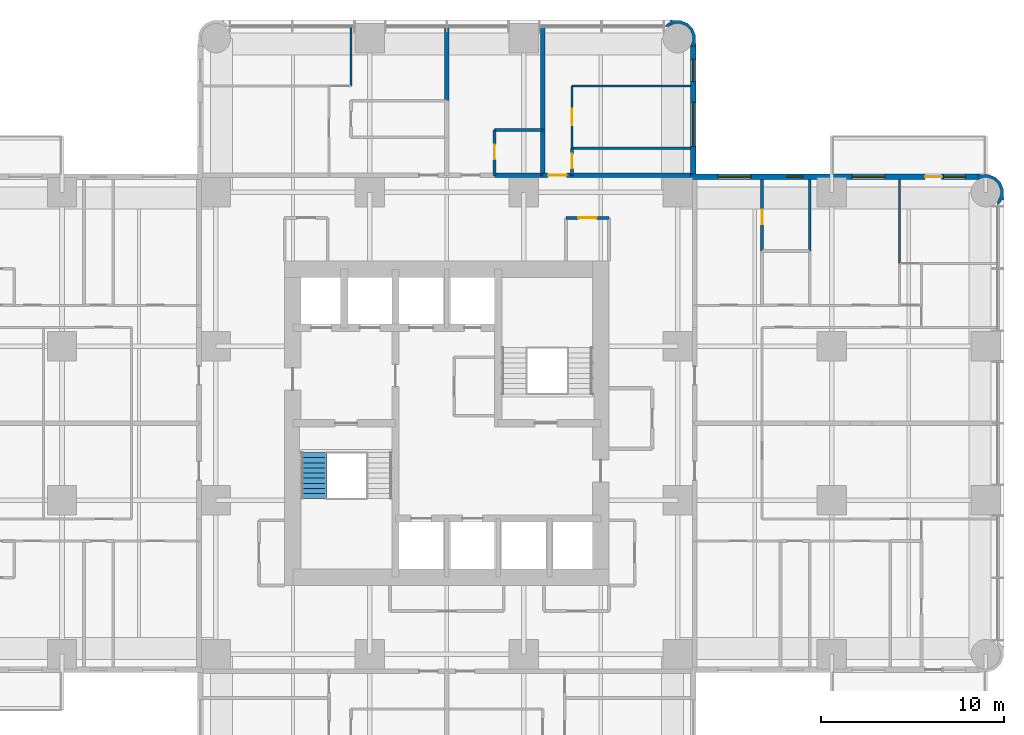
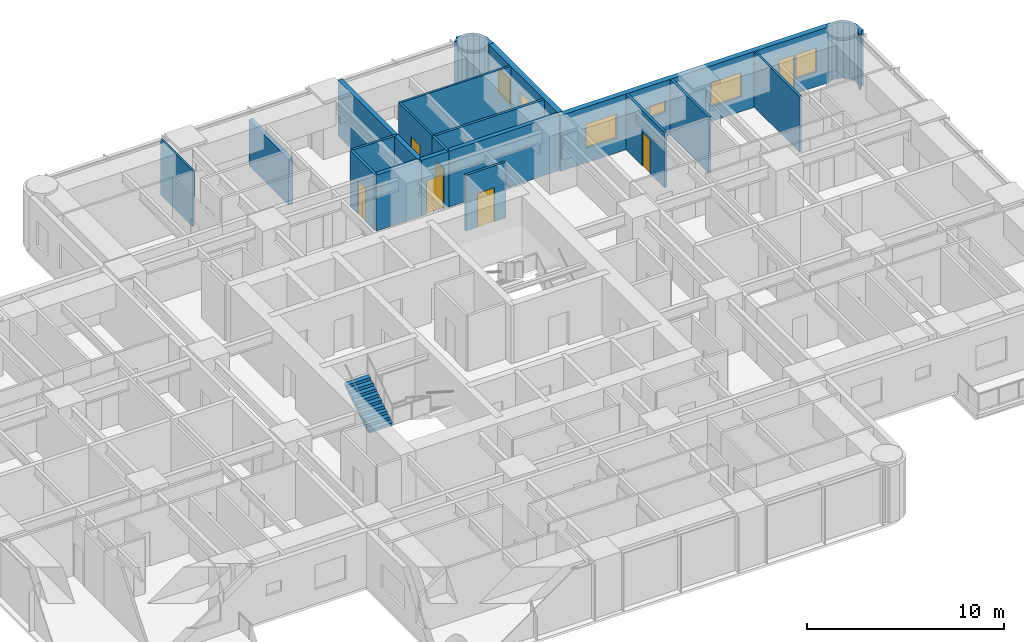
# One storey, part 12 of 15: 21 walls, 7 doors, 6 windows, 1 stair flight, 13 openings, 1 element without a shape of its own.
"""IFC4 building model written with IfcOpenShell, lengths in metres."""

from ifc_helpers import new_model, si_unit, direction, frame, frame_2d, origin, place, context, subcontext, project, spatial, polyline, rectangle, outline, extrude, material, layer, layer_set, type_object, element, fill, aggregate, save


model = new_model("IFC4")

# Units and contexts
model_context = context("Model", 3, precision=1e-05, world=origin(), true_north=direction((0.0, 1.0)))
body_context = subcontext(model_context, "Body", "Model", "MODEL_VIEW")
ifc_project = project(units=[si_unit("LENGTHUNIT", "METRE"), si_unit("AREAUNIT", "SQUARE_METRE"), si_unit("VOLUMEUNIT", "CUBIC_METRE"), si_unit("PLANEANGLEUNIT", "RADIAN"), si_unit("MASSUNIT", "GRAM", prefix="KILO")], contexts=[model_context])

# Site, building, storey
site_placement = place(None, origin())
site = spatial("IfcSite", under=ifc_project, at=site_placement, CompositionType="ELEMENT")
building_placement = place(site_placement, origin())
building = spatial("IfcBuilding", under=site, at=building_placement, Name="Torre Alcanfor", CompositionType="ELEMENT")
storey_placement = place(building_placement, frame((0.0, 0.0, 144.89990234375)))
storey = spatial("IfcBuildingStorey", under=building, at=storey_placement, Name="L37", CompositionType="ELEMENT", Elevation=144.89990234375)

# Wall
ifc_material_1 = material(Name="Concrete block masonry, hollow blocks NMX-C-404 9 MPa", Category="masonry")
ifc_layer_1 = layer(ifc_material_1, 0.25)
ifc_layer_set_1 = layer_set([ifc_layer_1], Name="Apartment entrance wall 250 EI 60")
wall_type_1 = type_object("IfcWallType", Name="Apartment entrance wall 250 EI 60", PredefinedType="PARTITIONING", material=ifc_layer_set_1)
wall_1_placement = place(storey_placement, frame((32.0, 42.925048828125, 0.0), z_axis=(0.0, 0.0, 1.0), x_axis=(1.0, 0.0, 0.0)))
element("IfcWall", 1, at=wall_1_placement, inside=storey, type_object=wall_type_1, Name="Partition L37-CORR / L37-N2A-BATH", PredefinedType="PARTITIONING", context=body_context, shape_type="SweptSolid", body=[
    extrude(rectangle(XDim=2.62890625, YDim=0.25, at=frame_2d((1.314453125, 0.0))), origin(), (0.0, 0.0, 1.0), 3.4501953125),
])

# Wall, opening, door
wall_2_placement = place(storey_placement, frame((34.62890625, 42.925048828125, 0.0), z_axis=(0.0, 0.0, 1.0), x_axis=(1.0, 0.0, 0.0)))
wall_2 = element("IfcWall", 2, at=wall_2_placement, inside=storey, type_object=wall_type_1, Name="Partition L37-CORR / L37-N2B-LIVING", PredefinedType="PARTITIONING", context=body_context, shape_type="SweptSolid", body=[
    extrude(rectangle(XDim=1.60009765625, YDim=0.25, at=frame_2d((0.800048828125, 0.0))), origin(), (0.0, 0.0, 1.0), 3.4501953125),
])
opening_1_placement = place(wall_2_placement, frame((0.300048828125, 0.0, 0.0)))
opening_1 = element("IfcOpeningElement", 3, at=opening_1_placement, cuts=wall_2, Name="Opening D-A1", PredefinedType="OPENING", context=body_context, shape_type="SweptSolid", body=[
    extrude(rectangle(XDim=1.0, YDim=2.10009765625, at=frame_2d((0.5, 1.050048828125))), frame((0.0, 0.135009765625, 0.0), z_axis=(0.0, -1.0, 0.0), x_axis=(1.0, 0.0, 0.0)), (0.0, 0.0, 1.0), 0.27001953125),
])
ifc_material_2 = material(Name="Galvanised steel sheet ASTM A653", Category="steel")
door_type_1 = type_object("IfcDoorType", Name="Apartment entrance door FD60 1000x2100", OperationType="SINGLE_SWING_LEFT", PredefinedType="DOOR", material=ifc_material_2)
door_1_placement = place(opening_1_placement, origin())
door_1 = element("IfcDoor", 4, at=door_1_placement, inside=storey, type_object=door_type_1, Name="Apartment entrance L37-N2B", OperationType="SINGLE_SWING_LEFT", OverallHeight=2.10009765625, OverallWidth=1.0, PredefinedType="DOOR", context=body_context, shape_type="SweptSolid", body=[
    extrude(rectangle(XDim=1.0, YDim=2.10009765625, at=frame_2d((0.5, 1.050048828125))), frame((0.0, 0.02490234375, 0.0), z_axis=(0.0, -1.0, 0.0), x_axis=(1.0, 0.0, 0.0)), (0.0, 0.0, 1.0), 0.050048828125),
])
fill(opening_1, door_1)

# Walls
wall_3_placement = place(storey_placement, frame((36.22900390625, 42.925048828125, 0.0), z_axis=(0.0, 0.0, 1.0), x_axis=(1.0, 0.0, 0.0)))
element("IfcWall", 5, at=wall_3_placement, inside=storey, type_object=wall_type_1, Name="Partition L37-CORR / L37-N2B-BATH", PredefinedType="PARTITIONING", context=body_context, shape_type="SweptSolid", body=[
    extrude(rectangle(XDim=6.470947265625, YDim=0.25, at=frame_2d((3.2353515625, 0.0))), origin(), (0.0, 0.0, 1.0), 3.4501953125),
])
ifc_material_3 = material(Name="Gypsum board on steel studs", Category="steel")
ifc_layer_2 = layer(ifc_material_3, 0.1201171875)
ifc_layer_set_2 = layer_set([ifc_layer_2], Name="Apartment partition 120")
wall_type_2 = type_object("IfcWallType", Name="Apartment partition 120", PredefinedType="PARTITIONING", material=ifc_layer_set_2)
wall_4_placement = place(storey_placement, frame((24.1708984375, 47.800048828125, 0.0), z_axis=(0.0, 0.0, 1.0), x_axis=(0.0, 1.0, 0.0)))
element("IfcWall", 6, at=wall_4_placement, inside=storey, type_object=wall_type_2, Name="Partition L37-N1-LIVING / L37-N1-MASTER", PredefinedType="PARTITIONING", context=body_context, shape_type="SweptSolid", body=[
    extrude(rectangle(XDim=3.25, YDim=0.1201171875, at=frame_2d((1.625, 0.0))), origin(), (0.0, 0.0, 1.0), 3.4501953125),
])
wall_5_placement = place(storey_placement, frame((42.699951171875, 47.800048828125, 0.0), z_axis=(0.0, 0.0, 1.0), x_axis=(-1.0, 0.0, 0.0)))
element("IfcWall", 7, at=wall_5_placement, inside=storey, type_object=wall_type_2, Name="Partition L37-N2B-LIVING / L37-N2B-MASTER", PredefinedType="PARTITIONING", context=body_context, shape_type="SweptSolid", body=[
    extrude(rectangle(XDim=6.470947265625, YDim=0.1201171875, at=frame_2d((3.2353515625, 0.0))), origin(), (0.0, 0.0, 1.0), 3.4501953125),
])

# Wall, opening, door
wall_6_placement = place(storey_placement, frame((36.22900390625, 47.800048828125, 0.0), z_axis=(0.0, 0.0, 1.0), x_axis=(0.0, -1.0, 0.0)))
wall_6 = element("IfcWall", 8, at=wall_6_placement, inside=storey, type_object=wall_type_2, Name="Partition L37-N2B-LIVING / L37-N2B-MASTER", PredefinedType="PARTITIONING", context=body_context, shape_type="SweptSolid", body=[
    extrude(rectangle(XDim=3.400146484375, YDim=0.1201171875, at=frame_2d((1.7001953125, 0.0))), origin(), (0.0, 0.0, 1.0), 3.4501953125),
])
opening_2_placement = place(wall_6_placement, frame((1.25, 0.0, 0.0)))
opening_2 = element("IfcOpeningElement", 9, at=opening_2_placement, cuts=wall_6, Name="Opening D-R1", PredefinedType="OPENING", context=body_context, shape_type="SweptSolid", body=[
    extrude(rectangle(XDim=0.89990234375, YDim=2.10009765625, at=frame_2d((0.449951171875, 1.050048828125))), frame((0.0, 0.070068359375, 0.0), z_axis=(0.0, -1.0, 0.0), x_axis=(1.0, 0.0, 0.0)), (0.0, 0.0, 1.0), 0.14013671875),
])
ifc_material_4 = material(Name="Timber", Category="wood")
door_type_2 = type_object("IfcDoorType", Name="Internal door 900x2100", OperationType="SINGLE_SWING_LEFT", PredefinedType="DOOR", material=ifc_material_4)
door_2_placement = place(opening_2_placement, origin())
door_2 = element("IfcDoor", 10, at=door_2_placement, inside=storey, type_object=door_type_2, Name="Door L37-N2B master", OperationType="SINGLE_SWING_LEFT", OverallHeight=2.10009765625, OverallWidth=0.89990234375, PredefinedType="DOOR", context=body_context, shape_type="SweptSolid", body=[
    extrude(rectangle(XDim=0.89990234375, YDim=2.10009765625, at=frame_2d((0.449951171875, 1.050048828125))), frame((0.0, 0.02490234375, 0.0), z_axis=(0.0, -1.0, 0.0), x_axis=(1.0, 0.0, 0.0)), (0.0, 0.0, 1.0), 0.050048828125),
])
fill(opening_2, door_2)

# Wall
wall_7_placement = place(storey_placement, frame((54.10009765625, 38.114013671875, 0.0), z_axis=(0.0, 0.0, 1.0), x_axis=(0.0, 1.0, 0.0)))
element("IfcWall", 11, at=wall_7_placement, inside=storey, type_object=wall_type_2, Name="Partition L37-E1-BED3 / L37-E1-MASTER", PredefinedType="PARTITIONING", context=body_context, shape_type="SweptSolid", body=[
    extrude(rectangle(XDim=4.5859375, YDim=0.1201171875, at=frame_2d((2.29296875, 0.0))), origin(), (0.0, 0.0, 1.0), 3.4501953125),
])

# Wall, openings, door, windows
ifc_material_5 = material(Name="Limestone cladding", Category="masonry")
ifc_layer_3 = layer(ifc_material_5, 0.0400390625, Name="Facing")
ifc_material_6 = material(Name="Ventilated air cavity")
ifc_layer_4 = layer(ifc_material_6, 0.02001953125, ventilated=True, Name="Ventilated joint")
ifc_material_7 = material(Name="Mineral wool insulation", Category="insulation")
ifc_layer_5 = layer(ifc_material_7, 0.10009765625, Name="Insulation")
ifc_material_8 = material(Name="Concrete f'c 35 MPa", Category="concrete")
ifc_layer_6 = layer(ifc_material_8, 0.139892578125, Name="Backing")
ifc_layer_set_3 = layer_set([ifc_layer_3, ifc_layer_4, ifc_layer_5, ifc_layer_6], Name="External wall stone-clad 300")
wall_type_3 = type_object("IfcWallType", Name="External wall stone-clad 300", PredefinedType="SOLIDWALL", material=ifc_layer_set_3)
wall_8_placement = place(storey_placement, frame((58.39990234375, 42.85009765625, 0.0), z_axis=(0.0, 0.0, 1.0), x_axis=(-1.0, 0.0, 0.0)))
wall_8 = element("IfcWall", 12, at=wall_8_placement, inside=storey, type_object=wall_type_3, Name="External wall L37 9", PredefinedType="SOLIDWALL", context=body_context, shape_type="SweptSolid", body=[
    extrude(rectangle(XDim=15.699951171875, YDim=0.300048828125, at=frame_2d((7.85009765625, 0.0))), origin(), (0.0, 0.0, 1.0), 3.4501953125),
])
opening_3_placement = place(wall_8_placement, frame((12.39990234375, 0.0, 0.89990234375)))
opening_3 = element("IfcOpeningElement", 13, at=opening_3_placement, cuts=wall_8, Name="Opening W2", PredefinedType="OPENING", context=body_context, shape_type="SweptSolid", body=[
    extrude(rectangle(XDim=1.800048828125, YDim=1.5, at=frame_2d((0.89990234375, 0.75))), frame((0.0, 0.159912109375, 0.0), z_axis=(0.0, -1.0, 0.0), x_axis=(1.0, 0.0, 0.0)), (0.0, 0.0, 1.0), 0.320068359375),
])
opening_4_placement = place(wall_8_placement, frame((9.550048828125, 0.0, 1.5)))
opening_4 = element("IfcOpeningElement", 14, at=opening_4_placement, cuts=wall_8, Name="Opening W3", PredefinedType="OPENING", context=body_context, shape_type="SweptSolid", body=[
    extrude(rectangle(XDim=0.89990234375, YDim=0.699951171875, at=frame_2d((0.449951171875, 0.35009765625))), frame((0.0, 0.159912109375, 0.0), z_axis=(0.0, -1.0, 0.0), x_axis=(1.0, 0.0, 0.0)), (0.0, 0.0, 1.0), 0.320068359375),
])
opening_5_placement = place(wall_8_placement, frame((5.10009765625, 0.0, 0.89990234375)))
opening_5 = element("IfcOpeningElement", 15, at=opening_5_placement, cuts=wall_8, Name="Opening W2", PredefinedType="OPENING", context=body_context, shape_type="SweptSolid", body=[
    extrude(rectangle(XDim=1.800048828125, YDim=1.5, at=frame_2d((0.89990234375, 0.75))), frame((0.0, 0.159912109375, 0.0), z_axis=(0.0, -1.0, 0.0), x_axis=(1.0, 0.0, 0.0)), (0.0, 0.0, 1.0), 0.320068359375),
])
opening_6_placement = place(wall_8_placement, frame((2.0, 0.0, 0.0)))
opening_6 = element("IfcOpeningElement", 16, at=opening_6_placement, cuts=wall_8, Name="Opening D-B1", PredefinedType="OPENING", context=body_context, shape_type="SweptSolid", body=[
    extrude(rectangle(XDim=0.89990234375, YDim=2.39990234375, at=frame_2d((0.449951171875, 1.199951171875))), frame((0.0, 0.159912109375, 0.0), z_axis=(0.0, -1.0, 0.0), x_axis=(1.0, 0.0, 0.0)), (0.0, 0.0, 1.0), 0.320068359375),
])
opening_7_placement = place(wall_8_placement, frame((0.699951171875, 0.0, 0.89990234375)))
opening_7 = element("IfcOpeningElement", 17, at=opening_7_placement, cuts=wall_8, Name="Opening W4", PredefinedType="OPENING", context=body_context, shape_type="SweptSolid", body=[
    extrude(rectangle(XDim=1.199951171875, YDim=1.5, at=frame_2d((0.60009765625, 0.75))), frame((0.0, 0.159912109375, 0.0), z_axis=(0.0, -1.0, 0.0), x_axis=(1.0, 0.0, 0.0)), (0.0, 0.0, 1.0), 0.320068359375),
])
ifc_material_9 = material(Name="Aluminium and glass", Category="aluminium")
door_type_3 = type_object("IfcDoorType", Name="Balcony door glazed 900x2400", OperationType="SINGLE_SWING_LEFT", PredefinedType="DOOR", material=ifc_material_9)
door_3_placement = place(opening_6_placement, origin())
door_3 = element("IfcDoor", 18, at=door_3_placement, inside=storey, type_object=door_type_3, Name="Balcony door L37-E1", OperationType="SINGLE_SWING_RIGHT", OverallHeight=2.39990234375, OverallWidth=0.89990234375, PredefinedType="DOOR", context=body_context, shape_type="SweptSolid", body=[
    extrude(rectangle(XDim=0.89990234375, YDim=2.39990234375, at=frame_2d((0.449951171875, 1.199951171875))), frame((0.0, 0.02490234375, 0.0), z_axis=(0.0, -1.0, 0.0), x_axis=(1.0, 0.0, 0.0)), (0.0, 0.0, 1.0), 0.050048828125),
])
fill(opening_6, door_3)
ifc_material_10 = material(Name="Aluminium frame with clear double glazing", Category="aluminium")
window_type_1 = type_object("IfcWindowType", Name="Window bathroom 900x700", PartitioningType="SINGLE_PANEL", PredefinedType="WINDOW", material=ifc_material_10)
window_1_placement = place(opening_4_placement, origin())
window_1 = element("IfcWindow", 19, at=window_1_placement, inside=storey, type_object=window_type_1, Name="Window W3 L37-E1", OverallHeight=0.699951171875, OverallWidth=0.89990234375, PartitioningType="SINGLE_PANEL", PredefinedType="WINDOW", context=body_context, shape_type="SweptSolid", body=[
    extrude(rectangle(XDim=0.89990234375, YDim=0.699951171875, at=frame_2d((0.449951171875, 0.35009765625))), frame((0.0, 0.030029296875, 0.0), z_axis=(0.0, -1.0, 0.0), x_axis=(1.0, 0.0, 0.0)), (0.0, 0.0, 1.0), 0.06005859375),
])
fill(opening_4, window_1)
ifc_material_11 = material(Name="Aluminium frame with clear double glazing", Category="aluminium")
window_type_2 = type_object("IfcWindowType", Name="Window bedroom 1200x1500", PartitioningType="SINGLE_PANEL", PredefinedType="WINDOW", material=ifc_material_11)
window_2_placement = place(opening_7_placement, origin())
window_2 = element("IfcWindow", 20, at=window_2_placement, inside=storey, type_object=window_type_2, Name="Window W4 L37-E1", OverallHeight=1.5, OverallWidth=1.199951171875, PartitioningType="SINGLE_PANEL", PredefinedType="WINDOW", context=body_context, shape_type="SweptSolid", body=[
    extrude(rectangle(XDim=1.199951171875, YDim=1.5, at=frame_2d((0.60009765625, 0.75))), frame((0.0, 0.030029296875, 0.0), z_axis=(0.0, -1.0, 0.0), x_axis=(1.0, 0.0, 0.0)), (0.0, 0.0, 1.0), 0.06005859375),
])
fill(opening_7, window_2)
ifc_material_12 = material(Name="Aluminium frame with clear double glazing", Category="aluminium")
window_type_3 = type_object("IfcWindowType", Name="Window bedroom 1800x1500", PartitioningType="SINGLE_PANEL", PredefinedType="WINDOW", material=ifc_material_12)
window_3_placement = place(opening_3_placement, origin())
window_3 = element("IfcWindow", 21, at=window_3_placement, inside=storey, type_object=window_type_3, Name="Window W2 L37-E1", OverallHeight=1.5, OverallWidth=1.800048828125, PartitioningType="SINGLE_PANEL", PredefinedType="WINDOW", context=body_context, shape_type="SweptSolid", body=[
    extrude(rectangle(XDim=1.800048828125, YDim=1.5, at=frame_2d((0.89990234375, 0.75))), frame((0.0, 0.030029296875, 0.0), z_axis=(0.0, -1.0, 0.0), x_axis=(1.0, 0.0, 0.0)), (0.0, 0.0, 1.0), 0.06005859375),
])
fill(opening_3, window_3)
window_4_placement = place(opening_5_placement, origin())
window_4 = element("IfcWindow", 22, at=window_4_placement, inside=storey, type_object=window_type_3, Name="Window W2 L37-E1", OverallHeight=1.5, OverallWidth=1.800048828125, PartitioningType="SINGLE_PANEL", PredefinedType="WINDOW", context=body_context, shape_type="SweptSolid", body=[
    extrude(rectangle(XDim=1.800048828125, YDim=1.5, at=frame_2d((0.89990234375, 0.75))), frame((0.0, 0.030029296875, 0.0), z_axis=(0.0, -1.0, 0.0), x_axis=(1.0, 0.0, 0.0)), (0.0, 0.0, 1.0), 0.06005859375),
])
fill(opening_5, window_4)

# Wall, openings, windows
wall_9_placement = place(storey_placement, frame((42.85009765625, 43.0, 0.0), z_axis=(0.0, 0.0, 1.0), x_axis=(0.0, 1.0, 0.0)))
wall_9 = element("IfcWall", 23, at=wall_9_placement, inside=storey, type_object=wall_type_3, Name="External wall L37 10", PredefinedType="SOLIDWALL", context=body_context, shape_type="SweptSolid", body=[
    extrude(rectangle(XDim=7.0, YDim=0.300048828125, at=frame_2d((3.5, 0.0))), origin(), (0.0, 0.0, 1.0), 3.4501953125),
])
opening_8_placement = place(wall_9_placement, frame((1.5, 0.0, 0.89990234375)))
opening_8 = element("IfcOpeningElement", 24, at=opening_8_placement, cuts=wall_9, Name="Opening W1", PredefinedType="OPENING", context=body_context, shape_type="SweptSolid", body=[
    extrude(rectangle(XDim=2.39990234375, YDim=1.5, at=frame_2d((1.199951171875, 0.75))), frame((0.0, 0.159912109375, 0.0), z_axis=(0.0, -1.0, 0.0), x_axis=(1.0, 0.0, 0.0)), (0.0, 0.0, 1.0), 0.320068359375),
])
opening_9_placement = place(wall_9_placement, frame((5.050048828125, 0.0, 0.89990234375)))
opening_9 = element("IfcOpeningElement", 25, at=opening_9_placement, cuts=wall_9, Name="Opening W4", PredefinedType="OPENING", context=body_context, shape_type="SweptSolid", body=[
    extrude(rectangle(XDim=1.199951171875, YDim=1.5, at=frame_2d((0.60009765625, 0.75))), frame((0.0, 0.159912109375, 0.0), z_axis=(0.0, -1.0, 0.0), x_axis=(1.0, 0.0, 0.0)), (0.0, 0.0, 1.0), 0.320068359375),
])
window_5_placement = place(opening_9_placement, origin())
window_5 = element("IfcWindow", 26, at=window_5_placement, inside=storey, type_object=window_type_2, Name="Window W4 L37-N2", OverallHeight=1.5, OverallWidth=1.199951171875, PartitioningType="SINGLE_PANEL", PredefinedType="WINDOW", context=body_context, shape_type="SweptSolid", body=[
    extrude(rectangle(XDim=1.199951171875, YDim=1.5, at=frame_2d((0.60009765625, 0.75))), frame((0.0, 0.030029296875, 0.0), z_axis=(0.0, -1.0, 0.0), x_axis=(1.0, 0.0, 0.0)), (0.0, 0.0, 1.0), 0.06005859375),
])
fill(opening_9, window_5)
ifc_material_13 = material(Name="Aluminium frame with clear double glazing", Category="aluminium")
window_type_4 = type_object("IfcWindowType", Name="Window bedroom 2400x1500", PartitioningType="SINGLE_PANEL", PredefinedType="WINDOW", material=ifc_material_13)
window_6_placement = place(opening_8_placement, origin())
window_6 = element("IfcWindow", 27, at=window_6_placement, inside=storey, type_object=window_type_4, Name="Window W1 L37-N2", OverallHeight=1.5, OverallWidth=2.39990234375, PartitioningType="SINGLE_PANEL", PredefinedType="WINDOW", context=body_context, shape_type="SweptSolid", body=[
    extrude(rectangle(XDim=2.39990234375, YDim=1.5, at=frame_2d((1.199951171875, 0.75))), frame((0.0, 0.030029296875, 0.0), z_axis=(0.0, -1.0, 0.0), x_axis=(1.0, 0.0, 0.0)), (0.0, 0.0, 1.0), 0.06005859375),
])
fill(opening_8, window_6)

# Walls
ifc_material_14 = material(Name="Concrete block masonry, hollow blocks NMX-C-404 9 MPa", Category="masonry")
ifc_layer_7 = layer(ifc_material_14, 0.25)
ifc_layer_set_4 = layer_set([ifc_layer_7], Name="Party wall 250 EI 60")
wall_type_4 = type_object("IfcWallType", Name="Party wall 250 EI 60", PredefinedType="PARTITIONING", material=ifc_layer_set_4)
wall_10_placement = place(storey_placement, frame((29.39990234375, 51.050048828125, 0.0), z_axis=(0.0, 0.0, 1.0), x_axis=(0.0, -1.0, 0.0)))
element("IfcWall", 28, at=wall_10_placement, inside=storey, type_object=wall_type_4, Name="Partition L37-N1-LIVING / L37-N2A-STUDIO", PredefinedType="PARTITIONING", context=body_context, shape_type="SweptSolid", body=[
    extrude(rectangle(XDim=4.050048828125, YDim=0.25, at=frame_2d((2.02490234375, 0.0))), origin(), (0.0, 0.0, 1.0), 2.84814453125),
])
wall_11_placement = place(storey_placement, frame((34.62890625, 51.050048828125, 0.0), z_axis=(0.0, 0.0, 1.0), x_axis=(0.0, -1.0, 0.0)))
element("IfcWall", 29, at=wall_11_placement, inside=storey, type_object=wall_type_4, Name="Partition L37-N2A-STUDIO / L37-N2B-LIVING", PredefinedType="PARTITIONING", context=body_context, shape_type="SweptSolid", body=[
    extrude(rectangle(XDim=5.650146484375, YDim=0.25, at=frame_2d((2.8251953125, 0.0))), origin(), (0.0, 0.0, 1.0), 3.4501953125),
])
wall_12_placement = place(storey_placement, frame((34.62890625, 45.39990234375, 0.0), z_axis=(0.0, 0.0, 1.0), x_axis=(0.0, -1.0, 0.0)))
element("IfcWall", 30, at=wall_12_placement, inside=storey, type_object=wall_type_4, Name="Partition L37-N2A-BATH / L37-N2B-LIVING", PredefinedType="PARTITIONING", context=body_context, shape_type="SweptSolid", body=[
    extrude(rectangle(XDim=2.474853515625, YDim=0.25, at=frame_2d((1.2373046875, 0.0))), origin(), (0.0, 0.0, 1.0), 3.4501953125),
])

# Wall, opening, door
ifc_material_15 = material(Name="Concrete block masonry, hollow blocks NMX-C-404 9 MPa", Category="masonry")
ifc_layer_8 = layer(ifc_material_15, 0.14990234375)
ifc_layer_set_5 = layer_set([ifc_layer_8], Name="Residents' room partition 150")
wall_type_5 = type_object("IfcWallType", Name="Residents' room partition 150", PredefinedType="PARTITIONING", material=ifc_layer_set_5)
wall_13_placement = place(storey_placement, frame((38.25, 40.60009765625, 0.0), z_axis=(0.0, 0.0, 1.0), x_axis=(-1.0, 0.0, 0.0)))
wall_13 = element("IfcWall", 31, at=wall_13_placement, inside=storey, type_object=wall_type_5, Name="Partition L37-CORR / L37-G02", PredefinedType="PARTITIONING", context=body_context, shape_type="SweptSolid", body=[
    extrude(rectangle(XDim=2.35009765625, YDim=0.14990234375, at=frame_2d((1.175048828125, 0.0))), origin(), (0.0, 0.0, 1.0), 3.4501953125),
])
opening_10_placement = place(wall_13_placement, frame((0.675048828125, 0.0, 0.0)))
opening_10 = element("IfcOpeningElement", 32, at=opening_10_placement, cuts=wall_13, Name="Opening D-M1", PredefinedType="OPENING", context=body_context, shape_type="SweptSolid", body=[
    extrude(rectangle(XDim=1.0, YDim=2.10009765625, at=frame_2d((0.5, 1.050048828125))), frame((0.0, 0.0849609375, 0.0), z_axis=(0.0, -1.0, 0.0), x_axis=(1.0, 0.0, 0.0)), (0.0, 0.0, 1.0), 0.169921875),
])
ifc_material_16 = material(Name="Timber", Category="wood")
door_type_4 = type_object("IfcDoorType", Name="Residents' room door 1000x2100", OperationType="SINGLE_SWING_LEFT", PredefinedType="DOOR", material=ifc_material_16)
door_4_placement = place(opening_10_placement, origin())
door_4 = element("IfcDoor", 33, at=door_4_placement, inside=storey, type_object=door_type_4, Name="Door L37-G02 parcel room", OperationType="SINGLE_SWING_LEFT", OverallHeight=2.10009765625, OverallWidth=1.0, PredefinedType="DOOR", context=body_context, shape_type="SweptSolid", body=[
    extrude(rectangle(XDim=1.0, YDim=2.10009765625, at=frame_2d((0.5, 1.050048828125))), frame((0.0, 0.02490234375, 0.0), z_axis=(0.0, -1.0, 0.0), x_axis=(1.0, 0.0, 0.0)), (0.0, 0.0, 1.0), 0.050048828125),
])
fill(opening_10, door_4)

# Walls
ifc_layer_9 = layer(ifc_material_5, 0.0400390625, Name="Facing")
ifc_layer_10 = layer(ifc_material_6, 0.02001953125, ventilated=True, Name="Ventilated joint")
ifc_layer_11 = layer(ifc_material_7, 0.10009765625, Name="Insulation")
ifc_layer_12 = layer(ifc_material_8, 0.139892578125, Name="Backing")
ifc_layer_set_6 = layer_set([ifc_layer_9, ifc_layer_10, ifc_layer_11, ifc_layer_12], Name="Rounded corner pier stone-clad 300")
wall_type_6 = type_object("IfcWallType", Name="Rounded corner pier stone-clad 300", PredefinedType="SOLIDWALL", material=ifc_layer_set_6)
wall_14_placement = place(storey_placement, frame((59.395317512, 41.351928198, 0.0), z_axis=(0.0, 0.0, 1.0), x_axis=(0.93923434088, 0.343276641956, 0.0)))
element("IfcWall", 34, at=wall_14_placement, inside=storey, type_object=wall_type_6, Name="Corner pier L37 18", PredefinedType="SOLIDWALL", context=body_context, shape_type="SweptSolid", body=[
    extrude(outline(polyline([(0.5319791374717469, 0.3931546875748424), (0.6305370795958255, 0.662817672163305), (0.614285462759775, 1.044364627998893), (0.4533652442516045, 1.3906676424071163), (0.17222000156622597, 1.6491237258576117), (-0.09744298302223653, 1.7476816679816904), (-0.36918355555989557, 1.8896284089825286), (-0.509101456401082, 1.6213052972671853), (-0.49052773042177455, 1.6145168675800676), (-0.47941981662998623, 1.6086375342973744), (-0.2113919059229058, 1.6201101578142136), (0.08785145707704622, 1.5107410128550955), (0.32257352025202113, 1.2952455132706726), (0.4567838912150332, 1.0060128786275908), (0.47036434537540095, 0.687566849311498), (0.36107900819019806, 0.38855279157054984), (0.14535420334677107, 0.1539145361694899), (0.10800994465551556, 0.13637103018492347), (0.030906792653685306, -0.07458980809856762), (0.2410056377422186, 0.023039004395991533), (0.3334055822831027, 0.12365495968313633), (0.46532832919806827, 0.0941544704520565), (0.5319791374717469, 0.3931546875748424)])), origin(), (0.0, 0.0, 1.0), 3.4501953125),
])
wall_15_placement = place(storey_placement, frame((42.817059488, 50.073176205, 0.0), z_axis=(0.0, 0.0, 1.0), x_axis=(0.343276641956, 0.93923434088, 0.0)))
element("IfcWall", 35, at=wall_15_placement, inside=storey, type_object=wall_type_6, Name="Corner pier L37 19", PredefinedType="SOLIDWALL", context=body_context, shape_type="SweptSolid", body=[
    extrude(outline(polyline([(0.2655808672444785, -0.0550807599050476), (0.5354731570919448, 0.04356098999294611), (0.8166183997773234, 0.30201707344344164), (0.9775386182854939, 0.6483200878516648), (0.9937902351215443, 1.0298670436872528), (0.8952322929974657, 1.2995300282757154), (0.8283521794647835, 1.5984464376245864), (0.6966587378088214, 1.5690297561674216), (0.6042587932679374, 1.6696457114545662), (0.39415994817940425, 1.7672745239491254), (0.47126310018123446, 1.5563136856656343), (0.50860735887249, 1.538770179681068), (0.7241028584569131, 1.304048116506093), (0.833388195642116, 1.0050340587651447), (0.8200370467407522, 0.686671837222967), (0.68582667577774, 0.3974392025798854), (0.4511046126027651, 0.18194370299546214), (0.15186124960281305, 0.07257455803634424), (-0.11616666110426738, 0.08404718155318341), (-0.12750388015505948, 0.07808404049657515), (-0.14607760613436685, 0.07129561080945748), (-0.0059304000341767055, -0.19694369313197083), (0.2655808672444785, -0.0550807599050476)])), origin(), (0.0, 0.0, 1.0), 3.4501953125),
])
ifc_material_17 = material(Name="Cement board on steel studs", Category="steel")
ifc_layer_13 = layer(ifc_material_17, 0.14990234375)
ifc_layer_set_7 = layer_set([ifc_layer_13], Name="Wet area partition 150")
wall_type_7 = type_object("IfcWallType", Name="Wet area partition 150", PredefinedType="PARTITIONING", material=ifc_layer_set_7)
wall_16_placement = place(storey_placement, frame((34.62890625, 45.39990234375, 0.0), z_axis=(0.0, 0.0, 1.0), x_axis=(-1.0, 0.0, 0.0)))
element("IfcWall", 36, at=wall_16_placement, inside=storey, type_object=wall_type_7, Name="Partition L37-N2A-STUDIO / L37-N2A-BATH", PredefinedType="PARTITIONING", context=body_context, shape_type="SweptSolid", body=[
    extrude(rectangle(XDim=2.62890625, YDim=0.14990234375, at=frame_2d((1.314453125, 0.0))), origin(), (0.0, 0.0, 1.0), 3.4501953125),
])

# Wall, opening, door
wall_17_placement = place(storey_placement, frame((32.0, 45.39990234375, 0.0), z_axis=(0.0, 0.0, 1.0), x_axis=(0.0, -1.0, 0.0)))
wall_17 = element("IfcWall", 37, at=wall_17_placement, inside=storey, type_object=wall_type_7, Name="Partition L37-N2A-STUDIO / L37-N2A-BATH", PredefinedType="PARTITIONING", context=body_context, shape_type="SweptSolid", body=[
    extrude(rectangle(XDim=2.474853515625, YDim=0.14990234375, at=frame_2d((1.2373046875, 0.0))), origin(), (0.0, 0.0, 1.0), 3.4501953125),
])
opening_11_placement = place(wall_17_placement, frame((0.800048828125, 0.0, 0.0)))
opening_11 = element("IfcOpeningElement", 38, at=opening_11_placement, cuts=wall_17, Name="Opening D-R2", PredefinedType="OPENING", context=body_context, shape_type="SweptSolid", body=[
    extrude(rectangle(XDim=0.800048828125, YDim=2.10009765625, at=frame_2d((0.39990234375, 1.050048828125))), frame((0.0, 0.0849609375, 0.0), z_axis=(0.0, -1.0, 0.0), x_axis=(1.0, 0.0, 0.0)), (0.0, 0.0, 1.0), 0.169921875),
])
ifc_material_18 = material(Name="Timber", Category="wood")
door_type_5 = type_object("IfcDoorType", Name="Bathroom door 800x2100", OperationType="SINGLE_SWING_LEFT", PredefinedType="DOOR", material=ifc_material_18)
door_5_placement = place(opening_11_placement, origin())
door_5 = element("IfcDoor", 39, at=door_5_placement, inside=storey, type_object=door_type_5, Name="Door L37-N2A bath", OperationType="SINGLE_SWING_LEFT", OverallHeight=2.10009765625, OverallWidth=0.800048828125, PredefinedType="DOOR", context=body_context, shape_type="SweptSolid", body=[
    extrude(rectangle(XDim=0.800048828125, YDim=2.10009765625, at=frame_2d((0.39990234375, 1.050048828125))), frame((0.0, 0.02490234375, 0.0), z_axis=(0.0, -1.0, 0.0), x_axis=(1.0, 0.0, 0.0)), (0.0, 0.0, 1.0), 0.050048828125),
])
fill(opening_11, door_5)

wall_18_placement = place(storey_placement, frame((36.22900390625, 44.39990234375, 0.0), z_axis=(0.0, 0.0, 1.0), x_axis=(0.0, -1.0, 0.0)))
wall_18 = element("IfcWall", 40, at=wall_18_placement, inside=storey, type_object=wall_type_7, Name="Partition L37-N2B-LIVING / L37-N2B-BATH", PredefinedType="PARTITIONING", context=body_context, shape_type="SweptSolid", body=[
    extrude(rectangle(XDim=1.474853515625, YDim=0.14990234375, at=frame_2d((0.7373046875, 0.0))), origin(), (0.0, 0.0, 1.0), 3.4501953125),
])
opening_12_placement = place(wall_18_placement, frame((0.300048828125, 0.0, 0.0)))
opening_12 = element("IfcOpeningElement", 41, at=opening_12_placement, cuts=wall_18, Name="Opening D-R2", PredefinedType="OPENING", context=body_context, shape_type="SweptSolid", body=[
    extrude(rectangle(XDim=0.800048828125, YDim=2.10009765625, at=frame_2d((0.39990234375, 1.050048828125))), frame((0.0, 0.0849609375, 0.0), z_axis=(0.0, -1.0, 0.0), x_axis=(1.0, 0.0, 0.0)), (0.0, 0.0, 1.0), 0.169921875),
])
door_6_placement = place(opening_12_placement, origin())
door_6 = element("IfcDoor", 42, at=door_6_placement, inside=storey, type_object=door_type_5, Name="Door L37-N2B bath", OperationType="SINGLE_SWING_LEFT", OverallHeight=2.10009765625, OverallWidth=0.800048828125, PredefinedType="DOOR", context=body_context, shape_type="SweptSolid", body=[
    extrude(rectangle(XDim=0.800048828125, YDim=2.10009765625, at=frame_2d((0.39990234375, 1.050048828125))), frame((0.0, 0.02490234375, 0.0), z_axis=(0.0, -1.0, 0.0), x_axis=(1.0, 0.0, 0.0)), (0.0, 0.0, 1.0), 0.050048828125),
])
fill(opening_12, door_6)

# Wall
wall_19_placement = place(storey_placement, frame((36.22900390625, 44.39990234375, 0.0), z_axis=(0.0, 0.0, 1.0), x_axis=(1.0, 0.0, 0.0)))
element("IfcWall", 43, at=wall_19_placement, inside=storey, type_object=wall_type_7, Name="Partition L37-N2B-BATH / L37-N2B-MASTER", PredefinedType="PARTITIONING", context=body_context, shape_type="SweptSolid", body=[
    extrude(rectangle(XDim=6.470947265625, YDim=0.14990234375, at=frame_2d((3.2353515625, 0.0))), origin(), (0.0, 0.0, 1.0), 3.4501953125),
])

# Wall, opening, door
wall_20_placement = place(storey_placement, frame((46.60009765625, 38.800048828125, 0.0), z_axis=(0.0, 0.0, 1.0), x_axis=(0.0, 1.0, 0.0)))
wall_20 = element("IfcWall", 44, at=wall_20_placement, inside=storey, type_object=wall_type_7, Name="Partition L37-E1-SERV / L37-E1-SBATH", PredefinedType="PARTITIONING", context=body_context, shape_type="SweptSolid", body=[
    extrude(rectangle(XDim=3.89990234375, YDim=0.14990234375, at=frame_2d((1.949951171875, 0.0))), origin(), (0.0, 0.0, 1.0), 3.4501953125),
])
opening_13_placement = place(wall_20_placement, frame((1.449951171875, 0.0, 0.0)))
opening_13 = element("IfcOpeningElement", 45, at=opening_13_placement, cuts=wall_20, Name="Opening D-R2", PredefinedType="OPENING", context=body_context, shape_type="SweptSolid", body=[
    extrude(rectangle(XDim=0.800048828125, YDim=2.10009765625, at=frame_2d((0.39990234375, 1.050048828125))), frame((0.0, 0.0849609375, 0.0), z_axis=(0.0, -1.0, 0.0), x_axis=(1.0, 0.0, 0.0)), (0.0, 0.0, 1.0), 0.169921875),
])
door_7_placement = place(opening_13_placement, frame((0.800048828125, 0.0, 0.0), z_axis=(0.0, 0.0, 1.0), x_axis=(-1.0, 0.0, 0.0)))
door_7 = element("IfcDoor", 46, at=door_7_placement, inside=storey, type_object=door_type_5, Name="Door L37-E1 sbath", OperationType="SINGLE_SWING_RIGHT", OverallHeight=2.10009765625, OverallWidth=0.800048828125, PredefinedType="DOOR", context=body_context, shape_type="SweptSolid", body=[
    extrude(rectangle(XDim=0.800048828125, YDim=2.10009765625, at=frame_2d((0.400146484375, 1.050048828125))), frame((0.0, 0.025146484375, 0.0), z_axis=(0.0, -1.0, 0.0), x_axis=(1.0, 0.0, 0.0)), (0.0, 0.0, 1.0), 0.050048828125),
])
fill(opening_13, door_7)

# Wall
wall_21_placement = place(storey_placement, frame((49.199951171875, 38.800048828125, 0.0), z_axis=(0.0, 0.0, 1.0), x_axis=(0.0, 1.0, 0.0)))
element("IfcWall", 47, at=wall_21_placement, inside=storey, type_object=wall_type_7, Name="Partition L37-E1-SBATH / L37-E1-BED3", PredefinedType="PARTITIONING", context=body_context, shape_type="SweptSolid", body=[
    extrude(rectangle(XDim=3.89990234375, YDim=0.14990234375, at=frame_2d((1.949951171875, 0.0))), origin(), (0.0, 0.0, 1.0), 3.4501953125),
])

# Stair, stair flight
ifc_material_19 = material(Name="Concrete f'c 35 MPa", Category="concrete")
stair_type = type_object("IfcStairType", Name="Exit stair S1 1400 wide", PredefinedType="HALF_TURN_STAIR", material=ifc_material_19)
stair_placement = place(storey_placement, origin())
stair = element("IfcStair", 48, at=stair_placement, inside=storey, type_object=stair_type, Name="Stair S1 L37 to L38", PredefinedType="HALF_TURN_STAIR")
ifc_material_20 = material(Name="Concrete f'c 35 MPa", Category="concrete")
stair_flight_type = type_object("IfcStairFlightType", Name="Stair flight 1400", PredefinedType="STRAIGHT", material=ifc_material_20)
stair_flight_placement = place(storey_placement, frame((22.14990234375, 25.280029296875, 1.800048828125), z_axis=(0.0, 0.0, 1.0), x_axis=(0.0, 1.0, 0.0)))
stair_flight = element("IfcStairFlight", 49, at=stair_flight_placement, type_object=stair_flight_type, Name="S1 flight 2", NumberOfRisers=10, NumberOfTreads=9, PredefinedType="STRAIGHT", RiserHeight=0.18, TreadLength=0.28, context=body_context, shape_type="SweptSolid", body=[
    extrude(outline(polyline([(0.0, 0.0), (0.0, 0.179931640625), (0.280029296875, 0.179931640625), (0.280029296875, 0.360107421875), (0.56005859375, 0.360107421875), (0.56005859375, 0.5400390625), (0.840087890625, 0.5400390625), (0.840087890625, 0.719970703125), (1.1201171875, 0.719970703125), (1.1201171875, 0.89990234375), (1.39990234375, 0.89990234375), (1.39990234375, 1.080078125), (1.679931640625, 1.080078125), (1.679931640625, 1.260009765625), (1.9599609375, 1.260009765625), (1.9599609375, 1.43994140625), (2.239990234375, 1.43994140625), (2.239990234375, 1.6201171875), (2.52001953125, 1.6201171875), (2.52001953125, 1.800048828125), (2.52001953125, 1.44189453125), (0.277099609375, 0.0), (0.0, 0.0)])), frame((0.0, 0.699951171875, 0.0), z_axis=(0.0, -1.0, 0.0), x_axis=(1.0, 0.0, 0.0)), (0.0, 0.0, 1.0), 1.39990234375),
])
aggregate(stair, [stair_flight])

save(model, "model.ifc")
